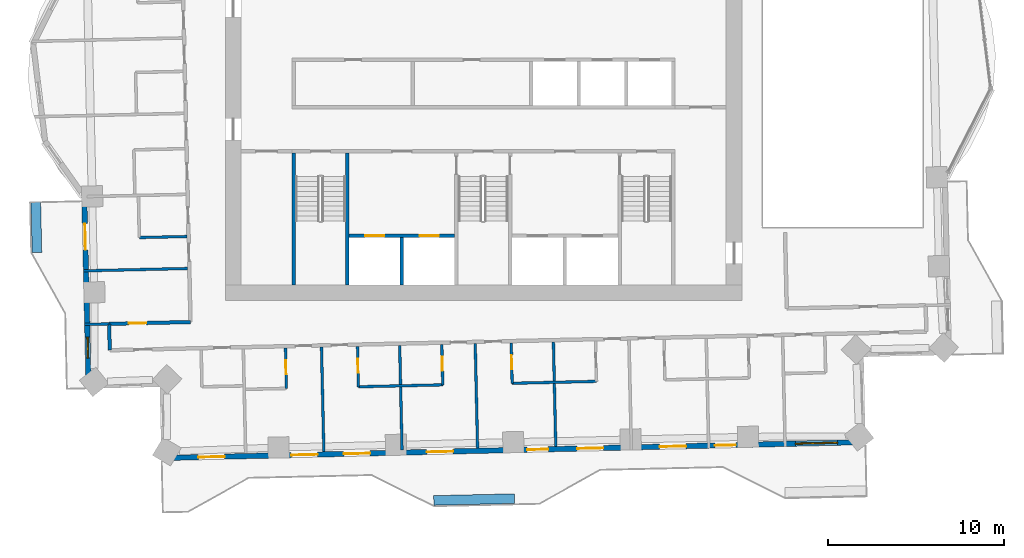
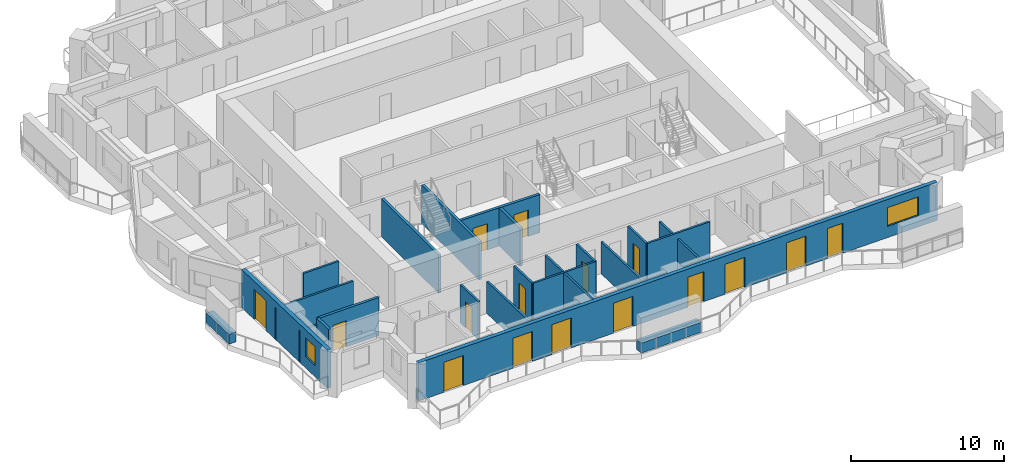
# One storey, part 4 of 14: 23 walls, 16 doors, 2 windows, 18 openings.
"""IFC4 building model written with IfcOpenShell, lengths in metres."""

from ifc_helpers import new_model, si_unit, direction, frame, frame_2d, origin, place, context, subcontext, project, spatial, rectangle, extrude, material, layer, layer_set, type_object, element, fill, save


model = new_model("IFC4")

# Units and contexts
model_context = context("Model", 3, precision=1e-05, world=origin(), true_north=direction((0.0, 1.0)))
body_context = subcontext(model_context, "Body", "Model", "MODEL_VIEW")
ifc_project = project(units=[si_unit("LENGTHUNIT", "METRE"), si_unit("AREAUNIT", "SQUARE_METRE"), si_unit("VOLUMEUNIT", "CUBIC_METRE"), si_unit("PLANEANGLEUNIT", "RADIAN"), si_unit("MASSUNIT", "GRAM", prefix="KILO")], contexts=[model_context])

# Site, building, storey
site_placement = place(None, origin())
site = spatial("IfcSite", under=ifc_project, at=site_placement, CompositionType="ELEMENT")
building_placement = place(site_placement, origin())
building = spatial("IfcBuilding", under=site, at=building_placement, Name="Mangrove Gate Tower", CompositionType="ELEMENT")
storey_placement = place(building_placement, frame((0.0, 0.0, 186.10009765625)))
storey = spatial("IfcBuildingStorey", under=building, at=storey_placement, Name="L47", CompositionType="ELEMENT", Elevation=186.10009765625)

# Wall, openings, doors
ifc_material_1 = material(Name="Concrete C60/75", Category="concrete")
ifc_layer_1 = layer(ifc_material_1, 0.199951171875)
ifc_layer_set_1 = layer_set([ifc_layer_1], Name="Core shaft wall 200 C60/75")
wall_type_1 = type_object("IfcWallType", Name="Core shaft wall 200 C60/75", PredefinedType="SHEAR", material=ifc_layer_set_1)
wall_1_placement = place(storey_placement, frame((-7.64990234375, -8.0, 0.0), z_axis=(0.0, 0.0, 1.0), x_axis=(1.0, 0.0, 0.0)))
wall_1 = element("IfcWall", 1, at=wall_1_placement, inside=storey, type_object=wall_type_1, Name="WALL-L47-CORE-15", PredefinedType="SHEAR", context=body_context, shape_type="SweptSolid", body=[
    extrude(rectangle(XDim=6.0, YDim=0.199951171875, at=frame_2d((3.0, 0.0))), origin(), (0.0, 0.0, 1.0), 3.0498046875),
])
opening_1_placement = place(wall_1_placement, frame((0.89990234375, 0.0, 0.0)))
opening_1 = element("IfcOpeningElement", 2, at=opening_1_placement, cuts=wall_1, Name="Opening LD", PredefinedType="OPENING", context=body_context, shape_type="SweptSolid", body=[
    extrude(rectangle(XDim=1.10009765625, YDim=2.10009765625, at=frame_2d((0.550048828125, 1.050048828125))), frame((0.0, 0.10986328125, 0.0), z_axis=(0.0, -1.0, 0.0), x_axis=(1.0, 0.0, 0.0)), (0.0, 0.0, 1.0), 0.219970703125),
])
opening_2_placement = place(wall_1_placement, frame((4.0, 0.0, 0.0)))
opening_2 = element("IfcOpeningElement", 3, at=opening_2_placement, cuts=wall_1, Name="Opening LD", PredefinedType="OPENING", context=body_context, shape_type="SweptSolid", body=[
    extrude(rectangle(XDim=1.10009765625, YDim=2.10009765625, at=frame_2d((0.550048828125, 1.050048828125))), frame((0.0, 0.10986328125, 0.0), z_axis=(0.0, -1.0, 0.0), x_axis=(1.0, 0.0, 0.0)), (0.0, 0.0, 1.0), 0.219970703125),
])
ifc_material_2 = material(Name="Stainless steel 316", Category="steel")
door_type_1 = type_object("IfcDoorType", Name="Lift landing door 1100x2100", OperationType="SLIDING_TO_LEFT", PredefinedType="DOOR", material=ifc_material_2)
door_1_placement = place(opening_1_placement, origin())
door_1 = element("IfcDoor", 4, at=door_1_placement, inside=storey, type_object=door_type_1, Name="Landing door LD SVL1", OperationType="SLIDING_TO_LEFT", OverallHeight=2.10009765625, OverallWidth=1.10009765625, PredefinedType="DOOR", context=body_context, shape_type="SweptSolid", body=[
    extrude(rectangle(XDim=1.10009765625, YDim=2.10009765625, at=frame_2d((0.550048828125, 1.050048828125))), frame((0.0, 0.02490234375, 0.0), z_axis=(0.0, -1.0, 0.0), x_axis=(1.0, 0.0, 0.0)), (0.0, 0.0, 1.0), 0.050048828125),
])
fill(opening_1, door_1)
door_2_placement = place(opening_2_placement, origin())
door_2 = element("IfcDoor", 5, at=door_2_placement, inside=storey, type_object=door_type_1, Name="Landing door LD SVL2", OperationType="SLIDING_TO_LEFT", OverallHeight=2.10009765625, OverallWidth=1.10009765625, PredefinedType="DOOR", context=body_context, shape_type="SweptSolid", body=[
    extrude(rectangle(XDim=1.10009765625, YDim=2.10009765625, at=frame_2d((0.550048828125, 1.050048828125))), frame((0.0, 0.02490234375, 0.0), z_axis=(0.0, -1.0, 0.0), x_axis=(1.0, 0.0, 0.0)), (0.0, 0.0, 1.0), 0.050048828125),
])
fill(opening_2, door_2)

# Walls
wall_2_placement = place(storey_placement, frame((-4.64990234375, -10.800048828125, 0.0), z_axis=(0.0, 0.0, 1.0), x_axis=(0.0, 1.0, 0.0)))
element("IfcWall", 6, at=wall_2_placement, inside=storey, type_object=wall_type_1, Name="WALL-L47-CORE-16", PredefinedType="SHEAR", context=body_context, shape_type="SweptSolid", body=[
    extrude(rectangle(XDim=2.699951171875, YDim=0.199951171875, at=frame_2d((1.35009765625, 0.0))), origin(), (0.0, 0.0, 1.0), 3.0498046875),
])
ifc_material_3 = material(Name="Concrete C60/75", Category="concrete")
ifc_layer_2 = layer(ifc_material_3, 0.199951171875)
ifc_layer_set_2 = layer_set([ifc_layer_2], Name="Core stair wall 200 C60/75")
wall_type_2 = type_object("IfcWallType", Name="Core stair wall 200 C60/75", PredefinedType="SHEAR", material=ifc_layer_set_2)
for number, where, z_axis, x_axis, name in (
    (7, (-10.800048828125, -10.800048828125, 0.0), (0.0, 0.0, 1.0), (0.0, 1.0, 0.0), "WALL-L47-CORE-9"),
    (8, (-7.75, -10.800048828125, 0.0), (0.0, 0.0, 1.0), (0.0, 1.0, 0.0), "WALL-L47-CORE-10"),
):
    element("IfcWall", number, at=place(storey_placement, frame(where, z_axis=z_axis, x_axis=x_axis)), inside=storey, type_object=wall_type_2, Name=name, PredefinedType="SHEAR", context=body_context, shape_type="SweptSolid", body=[
        extrude(rectangle(XDim=7.5, YDim=0.199951171875, at=frame_2d((3.75, 0.0))), origin(), (0.0, 0.0, 1.0), 3.0498046875),
    ])
ifc_material_4 = material(Name="Gypsum board on steel stud, EI 60", Category="steel")
ifc_layer_3 = layer(ifc_material_4, 0.199951171875)
ifc_layer_set_3 = layer_set([ifc_layer_3], Name="Corridor wall EI 60")
wall_type_3 = type_object("IfcWallType", Name="Corridor wall EI 60", PredefinedType="PARTITIONING", material=ifc_layer_set_3)
wall_3_placement = place(storey_placement, frame((-21.279052734375, -14.52294921875, 0.0), z_axis=(0.0, 0.0, 1.0), x_axis=(-0.022632637625, 0.99974384905, 0.0)))
element("IfcWall", 9, at=wall_3_placement, inside=storey, type_object=wall_type_3, Name="WALL-L47-025", PredefinedType="PARTITIONING", context=body_context, shape_type="SweptSolid", body=[
    extrude(rectangle(XDim=1.49951171875, YDim=0.199951171875, at=frame_2d((0.749755859375, 0.0))), origin(), (0.0, 0.0, 1.0), 3.0498046875),
])

# Wall, opening, door
wall_4_placement = place(storey_placement, frame((-21.31298828125, -13.02392578125, 0.0), z_axis=(0.0, 0.0, 1.0), x_axis=(0.999738699021, 0.022858995594, 0.0)))
wall_4 = element("IfcWall", 10, at=wall_4_placement, inside=storey, type_object=wall_type_3, Name="WALL-L47-028", PredefinedType="PARTITIONING", context=body_context, shape_type="SweptSolid", body=[
    extrude(rectangle(XDim=4.63525390625, YDim=0.199951171875, at=frame_2d((2.317626953125, 0.0))), origin(), (0.0, 0.0, 1.0), 3.0498046875),
])
opening_3_placement = place(wall_4_placement, frame((1.117919921875, 0.0, 0.0)))
opening_3 = element("IfcOpeningElement", 11, at=opening_3_placement, cuts=wall_4, Name="Opening AD", PredefinedType="OPENING", context=body_context, shape_type="SweptSolid", body=[
    extrude(rectangle(XDim=1.0, YDim=2.10009765625, at=frame_2d((0.5, 1.050048828125))), frame((0.0, 0.10986328125, 0.0), z_axis=(0.0, -1.0, 0.0), x_axis=(1.0, 0.0, 0.0)), (0.0, 0.0, 1.0), 0.219970703125),
])
ifc_material_5 = material(Name="Timber door leaf", Category="wood")
door_type_2 = type_object("IfcDoorType", Name="Amenity door 1000", OperationType="SINGLE_SWING_LEFT", PredefinedType="DOOR", material=ifc_material_5)
door_3_placement = place(opening_3_placement, origin())
door_3 = element("IfcDoor", 12, at=door_3_placement, inside=storey, type_object=door_type_2, Name="DOOR-L47-STU-c5c", OperationType="SINGLE_SWING_LEFT", OverallHeight=2.10009765625, OverallWidth=1.0, PredefinedType="DOOR", context=body_context, shape_type="SweptSolid", body=[
    extrude(rectangle(XDim=1.0, YDim=2.10009765625, at=frame_2d((0.5, 1.050048828125))), frame((0.0, 0.02490234375, 0.0), z_axis=(0.0, -1.0, 0.0), x_axis=(1.0, 0.0, 0.0)), (0.0, 0.0, 1.0), 0.050048828125),
])
fill(opening_3, door_3)

# Wall, openings, door, window
ifc_material_6 = material(Name="Limestone", Category="masonry")
ifc_layer_4 = layer(ifc_material_6, 0.0400390625, Name="Limestone cladding")
ifc_material_7 = material(Name="Ventilated air gap")
ifc_layer_5 = layer(ifc_material_7, 0.0400390625, Name="Ventilated cavity")
ifc_material_8 = material(Name="Mineral wool insulation")
ifc_layer_6 = layer(ifc_material_8, 0.06005859375, Name="Insulation")
ifc_material_9 = material(Name="Breather membrane")
ifc_layer_7 = layer(ifc_material_9, 0.001953125, Name="Breather membrane")
ifc_material_10 = material(Name="Concrete C20/25 blockwork", Category="masonry")
ifc_layer_8 = layer(ifc_material_10, 0.14990234375, Name="Blockwork backing wall")
ifc_material_11 = material(Name="Gypsum plaster")
ifc_layer_9 = layer(ifc_material_11, 0.008056640625, Name="Internal plaster")
ifc_layer_set_4 = layer_set([ifc_layer_4, ifc_layer_5, ifc_layer_6, ifc_layer_7, ifc_layer_8, ifc_layer_9], Name="External wall 300 limestone cladding")
wall_type_4 = type_object("IfcWallType", Name="External wall 300 limestone cladding", PredefinedType="SOLIDWALL", material=ifc_layer_set_4)
wall_5_placement = place(storey_placement, frame((-22.72900390625, -5.72509765625, 0.0), z_axis=(0.0, 0.0, 1.0), x_axis=(0.022726014582, -0.999741730779, 0.0)))
wall_5 = element("IfcWall", 13, at=wall_5_placement, inside=storey, type_object=wall_type_4, Name="WALL-L47-W10", PredefinedType="SOLIDWALL", context=body_context, shape_type="SweptSolid", body=[
    extrude(rectangle(XDim=10.82861328125, YDim=0.300048828125, at=frame_2d((5.414306640625, 0.0))), origin(), (0.0, 0.0, 1.0), 3.0498046875),
])
opening_4_placement = place(wall_5_placement, frame((1.592041015625, 0.0, 0.0)))
opening_4 = element("IfcOpeningElement", 14, at=opening_4_placement, cuts=wall_5, Name="Opening BD1", PredefinedType="OPENING", context=body_context, shape_type="SweptSolid", body=[
    extrude(rectangle(XDim=1.5, YDim=2.39990234375, at=frame_2d((0.75, 1.199951171875))), frame((0.0, 0.159912109375, 0.0), z_axis=(0.0, -1.0, 0.0), x_axis=(1.0, 0.0, 0.0)), (0.0, 0.0, 1.0), 0.320068359375),
])
opening_5_placement = place(wall_5_placement, frame((8.050048828125, 0.0, 0.89990234375)))
opening_5 = element("IfcOpeningElement", 15, at=opening_5_placement, cuts=wall_5, Name="Opening W1", PredefinedType="OPENING", context=body_context, shape_type="SweptSolid", body=[
    extrude(rectangle(XDim=1.199951171875, YDim=1.5, at=frame_2d((0.60009765625, 0.75))), frame((0.0, 0.159912109375, 0.0), z_axis=(0.0, -1.0, 0.0), x_axis=(1.0, 0.0, 0.0)), (0.0, 0.0, 1.0), 0.320068359375),
])
ifc_material_12 = material(Name="Aluminium frame with laminated clear glass", Category="aluminium")
door_type_3 = type_object("IfcDoorType", Name="Balcony sliding door 1500x2400", OperationType="SLIDING_TO_LEFT", PredefinedType="DOOR", material=ifc_material_12)
door_4_placement = place(opening_4_placement, origin())
door_4 = element("IfcDoor", 16, at=door_4_placement, inside=storey, type_object=door_type_3, Name="DOOR-L47-W10-1", OperationType="SLIDING_TO_LEFT", OverallHeight=2.39990234375, OverallWidth=1.5, PredefinedType="DOOR", context=body_context, shape_type="SweptSolid", body=[
    extrude(rectangle(XDim=1.5, YDim=2.39990234375, at=frame_2d((0.75, 1.199951171875))), frame((0.0, 0.02490234375, 0.0), z_axis=(0.0, -1.0, 0.0), x_axis=(1.0, 0.0, 0.0)), (0.0, 0.0, 1.0), 0.050048828125),
])
fill(opening_4, door_4)
ifc_material_13 = material(Name="Aluminium frame with double-glazed low-e glass", Category="aluminium")
window_type_1 = type_object("IfcWindowType", Name="Side lite 1200x1500", PartitioningType="SINGLE_PANEL", PredefinedType="WINDOW", material=ifc_material_13)
window_1_placement = place(opening_5_placement, origin())
window_1 = element("IfcWindow", 17, at=window_1_placement, inside=storey, type_object=window_type_1, Name="WIN-L47-W10-2", OverallHeight=1.5, OverallWidth=1.199951171875, PartitioningType="SINGLE_PANEL", PredefinedType="WINDOW", context=body_context, shape_type="SweptSolid", body=[
    extrude(rectangle(XDim=1.199951171875, YDim=1.5, at=frame_2d((0.60009765625, 0.75))), frame((0.0, 0.030029296875, 0.0), z_axis=(0.0, -1.0, 0.0), x_axis=(1.0, 0.0, 0.0)), (0.0, 0.0, 1.0), 0.06005859375),
])
fill(opening_5, window_1)

# Wall, openings, doors, window
wall_6_placement = place(storey_placement, frame((-18.18896484375, -20.655029296875, 0.0), z_axis=(0.0, 0.0, 1.0), x_axis=(0.999742285265, 0.022701609063, 0.0)))
wall_6 = element("IfcWall", 18, at=wall_6_placement, inside=storey, type_object=wall_type_4, Name="WALL-L47-S13", PredefinedType="SOLIDWALL", context=body_context, shape_type="SweptSolid", body=[
    extrude(rectangle(XDim=39.7802734375, YDim=0.300048828125, at=frame_2d((19.89013671875, 0.0))), origin(), (0.0, 0.0, 1.0), 3.0498046875),
])
opening_6_placement = place(wall_6_placement, frame((1.947998046875, 0.0, 0.0)))
opening_6 = element("IfcOpeningElement", 19, at=opening_6_placement, cuts=wall_6, Name="Opening BD1", PredefinedType="OPENING", context=body_context, shape_type="SweptSolid", body=[
    extrude(rectangle(XDim=1.5, YDim=2.39990234375, at=frame_2d((0.75, 1.199951171875))), frame((0.0, 0.159912109375, 0.0), z_axis=(0.0, -1.0, 0.0), x_axis=(1.0, 0.0, 0.0)), (0.0, 0.0, 1.0), 0.320068359375),
])
opening_7_placement = place(wall_6_placement, frame((7.239990234375, 0.0, 0.0)))
opening_7 = element("IfcOpeningElement", 20, at=opening_7_placement, cuts=wall_6, Name="Opening BD1", PredefinedType="OPENING", context=body_context, shape_type="SweptSolid", body=[
    extrude(rectangle(XDim=1.5, YDim=2.39990234375, at=frame_2d((0.75, 1.199951171875))), frame((0.0, 0.159912109375, 0.0), z_axis=(0.0, -1.0, 0.0), x_axis=(1.0, 0.0, 0.0)), (0.0, 0.0, 1.0), 0.320068359375),
])
opening_8_placement = place(wall_6_placement, frame((10.22998046875, 0.0, 0.0)))
opening_8 = element("IfcOpeningElement", 21, at=opening_8_placement, cuts=wall_6, Name="Opening BD1", PredefinedType="OPENING", context=body_context, shape_type="SweptSolid", body=[
    extrude(rectangle(XDim=1.5, YDim=2.39990234375, at=frame_2d((0.75, 1.199951171875))), frame((0.0, 0.159912109375, 0.0), z_axis=(0.0, -1.0, 0.0), x_axis=(1.0, 0.0, 0.0)), (0.0, 0.0, 1.0), 0.320068359375),
])
opening_9_placement = place(wall_6_placement, frame((14.955078125, 0.0, 0.0)))
opening_9 = element("IfcOpeningElement", 22, at=opening_9_placement, cuts=wall_6, Name="Opening BD1", PredefinedType="OPENING", context=body_context, shape_type="SweptSolid", body=[
    extrude(rectangle(XDim=1.5, YDim=2.39990234375, at=frame_2d((0.75, 1.199951171875))), frame((0.0, 0.159912109375, 0.0), z_axis=(0.0, -1.0, 0.0), x_axis=(1.0, 0.0, 0.0)), (0.0, 0.0, 1.0), 0.320068359375),
])
opening_10_placement = place(wall_6_placement, frame((20.669921875, 0.0, 0.0)))
opening_10 = element("IfcOpeningElement", 23, at=opening_10_placement, cuts=wall_6, Name="Opening BD2", PredefinedType="OPENING", context=body_context, shape_type="SweptSolid", body=[
    extrude(rectangle(XDim=1.199951171875, YDim=2.39990234375, at=frame_2d((0.60009765625, 1.199951171875))), frame((0.0, 0.159912109375, 0.0), z_axis=(0.0, -1.0, 0.0), x_axis=(1.0, 0.0, 0.0)), (0.0, 0.0, 1.0), 0.320068359375),
])
opening_11_placement = place(wall_6_placement, frame((23.510009765625, 0.0, 0.0)))
opening_11 = element("IfcOpeningElement", 24, at=opening_11_placement, cuts=wall_6, Name="Opening BD1", PredefinedType="OPENING", context=body_context, shape_type="SweptSolid", body=[
    extrude(rectangle(XDim=1.5, YDim=2.39990234375, at=frame_2d((0.75, 1.199951171875))), frame((0.0, 0.159912109375, 0.0), z_axis=(0.0, -1.0, 0.0), x_axis=(1.0, 0.0, 0.0)), (0.0, 0.0, 1.0), 0.320068359375),
])
opening_12_placement = place(wall_6_placement, frame((28.2099609375, 0.0, 0.0)))
opening_12 = element("IfcOpeningElement", 25, at=opening_12_placement, cuts=wall_6, Name="Opening BD1", PredefinedType="OPENING", context=body_context, shape_type="SweptSolid", body=[
    extrude(rectangle(XDim=1.5, YDim=2.39990234375, at=frame_2d((0.75, 1.199951171875))), frame((0.0, 0.159912109375, 0.0), z_axis=(0.0, -1.0, 0.0), x_axis=(1.0, 0.0, 0.0)), (0.0, 0.0, 1.0), 0.320068359375),
])
opening_13_placement = place(wall_6_placement, frame((31.35009765625, 0.0, 0.0)))
opening_13 = element("IfcOpeningElement", 26, at=opening_13_placement, cuts=wall_6, Name="Opening BD2", PredefinedType="OPENING", context=body_context, shape_type="SweptSolid", body=[
    extrude(rectangle(XDim=1.199951171875, YDim=2.39990234375, at=frame_2d((0.60009765625, 1.199951171875))), frame((0.0, 0.159912109375, 0.0), z_axis=(0.0, -1.0, 0.0), x_axis=(1.0, 0.0, 0.0)), (0.0, 0.0, 1.0), 0.320068359375),
])
opening_14_placement = place(wall_6_placement, frame((35.93994140625, 0.0, 0.89990234375)))
opening_14 = element("IfcOpeningElement", 27, at=opening_14_placement, cuts=wall_6, Name="Opening W2", PredefinedType="OPENING", context=body_context, shape_type="SweptSolid", body=[
    extrude(rectangle(XDim=2.39990234375, YDim=1.5, at=frame_2d((1.199951171875, 0.75))), frame((0.0, 0.159912109375, 0.0), z_axis=(0.0, -1.0, 0.0), x_axis=(1.0, 0.0, 0.0)), (0.0, 0.0, 1.0), 0.320068359375),
])
ifc_material_14 = material(Name="Aluminium frame with laminated clear glass", Category="aluminium")
door_type_4 = type_object("IfcDoorType", Name="Balcony sliding door 1200x2400", OperationType="SLIDING_TO_LEFT", PredefinedType="DOOR", material=ifc_material_14)
door_5_placement = place(opening_10_placement, origin())
door_5 = element("IfcDoor", 28, at=door_5_placement, inside=storey, type_object=door_type_4, Name="DOOR-L47-S13-5", OperationType="SLIDING_TO_LEFT", OverallHeight=2.39990234375, OverallWidth=1.199951171875, PredefinedType="DOOR", context=body_context, shape_type="SweptSolid", body=[
    extrude(rectangle(XDim=1.199951171875, YDim=2.39990234375, at=frame_2d((0.60009765625, 1.199951171875))), frame((0.0, 0.02490234375, 0.0), z_axis=(0.0, -1.0, 0.0), x_axis=(1.0, 0.0, 0.0)), (0.0, 0.0, 1.0), 0.050048828125),
])
fill(opening_10, door_5)
door_6_placement = place(opening_13_placement, origin())
door_6 = element("IfcDoor", 29, at=door_6_placement, inside=storey, type_object=door_type_4, Name="DOOR-L47-S13-8", OperationType="SLIDING_TO_LEFT", OverallHeight=2.39990234375, OverallWidth=1.199951171875, PredefinedType="DOOR", context=body_context, shape_type="SweptSolid", body=[
    extrude(rectangle(XDim=1.199951171875, YDim=2.39990234375, at=frame_2d((0.60009765625, 1.199951171875))), frame((0.0, 0.02490234375, 0.0), z_axis=(0.0, -1.0, 0.0), x_axis=(1.0, 0.0, 0.0)), (0.0, 0.0, 1.0), 0.050048828125),
])
fill(opening_13, door_6)
door_7_placement = place(opening_6_placement, origin())
door_7 = element("IfcDoor", 30, at=door_7_placement, inside=storey, type_object=door_type_3, Name="DOOR-L47-S13-1", OperationType="SLIDING_TO_LEFT", OverallHeight=2.39990234375, OverallWidth=1.5, PredefinedType="DOOR", context=body_context, shape_type="SweptSolid", body=[
    extrude(rectangle(XDim=1.5, YDim=2.39990234375, at=frame_2d((0.75, 1.199951171875))), frame((0.0, 0.02490234375, 0.0), z_axis=(0.0, -1.0, 0.0), x_axis=(1.0, 0.0, 0.0)), (0.0, 0.0, 1.0), 0.050048828125),
])
fill(opening_6, door_7)
door_8_placement = place(opening_7_placement, origin())
door_8 = element("IfcDoor", 31, at=door_8_placement, inside=storey, type_object=door_type_3, Name="DOOR-L47-S13-2", OperationType="SLIDING_TO_LEFT", OverallHeight=2.39990234375, OverallWidth=1.5, PredefinedType="DOOR", context=body_context, shape_type="SweptSolid", body=[
    extrude(rectangle(XDim=1.5, YDim=2.39990234375, at=frame_2d((0.75, 1.199951171875))), frame((0.0, 0.02490234375, 0.0), z_axis=(0.0, -1.0, 0.0), x_axis=(1.0, 0.0, 0.0)), (0.0, 0.0, 1.0), 0.050048828125),
])
fill(opening_7, door_8)
door_9_placement = place(opening_8_placement, origin())
door_9 = element("IfcDoor", 32, at=door_9_placement, inside=storey, type_object=door_type_3, Name="DOOR-L47-S13-3", OperationType="SLIDING_TO_LEFT", OverallHeight=2.39990234375, OverallWidth=1.5, PredefinedType="DOOR", context=body_context, shape_type="SweptSolid", body=[
    extrude(rectangle(XDim=1.5, YDim=2.39990234375, at=frame_2d((0.75, 1.199951171875))), frame((0.0, 0.02490234375, 0.0), z_axis=(0.0, -1.0, 0.0), x_axis=(1.0, 0.0, 0.0)), (0.0, 0.0, 1.0), 0.050048828125),
])
fill(opening_8, door_9)
door_10_placement = place(opening_9_placement, origin())
door_10 = element("IfcDoor", 33, at=door_10_placement, inside=storey, type_object=door_type_3, Name="DOOR-L47-S13-4", OperationType="SLIDING_TO_LEFT", OverallHeight=2.39990234375, OverallWidth=1.5, PredefinedType="DOOR", context=body_context, shape_type="SweptSolid", body=[
    extrude(rectangle(XDim=1.5, YDim=2.39990234375, at=frame_2d((0.75, 1.199951171875))), frame((0.0, 0.02490234375, 0.0), z_axis=(0.0, -1.0, 0.0), x_axis=(1.0, 0.0, 0.0)), (0.0, 0.0, 1.0), 0.050048828125),
])
fill(opening_9, door_10)
door_11_placement = place(opening_11_placement, origin())
door_11 = element("IfcDoor", 34, at=door_11_placement, inside=storey, type_object=door_type_3, Name="DOOR-L47-S13-6", OperationType="SLIDING_TO_LEFT", OverallHeight=2.39990234375, OverallWidth=1.5, PredefinedType="DOOR", context=body_context, shape_type="SweptSolid", body=[
    extrude(rectangle(XDim=1.5, YDim=2.39990234375, at=frame_2d((0.75, 1.199951171875))), frame((0.0, 0.02490234375, 0.0), z_axis=(0.0, -1.0, 0.0), x_axis=(1.0, 0.0, 0.0)), (0.0, 0.0, 1.0), 0.050048828125),
])
fill(opening_11, door_11)
door_12_placement = place(opening_12_placement, origin())
door_12 = element("IfcDoor", 35, at=door_12_placement, inside=storey, type_object=door_type_3, Name="DOOR-L47-S13-7", OperationType="SLIDING_TO_LEFT", OverallHeight=2.39990234375, OverallWidth=1.5, PredefinedType="DOOR", context=body_context, shape_type="SweptSolid", body=[
    extrude(rectangle(XDim=1.5, YDim=2.39990234375, at=frame_2d((0.75, 1.199951171875))), frame((0.0, 0.02490234375, 0.0), z_axis=(0.0, -1.0, 0.0), x_axis=(1.0, 0.0, 0.0)), (0.0, 0.0, 1.0), 0.050048828125),
])
fill(opening_12, door_12)
ifc_material_15 = material(Name="Aluminium frame with double-glazed low-e glass", Category="aluminium")
window_type_2 = type_object("IfcWindowType", Name="Corner room window 2400x1500", PartitioningType="DOUBLE_PANEL_VERTICAL", PredefinedType="WINDOW", material=ifc_material_15)
window_2_placement = place(opening_14_placement, origin())
window_2 = element("IfcWindow", 36, at=window_2_placement, inside=storey, type_object=window_type_2, Name="WIN-L47-S13-9", OverallHeight=1.5, OverallWidth=2.39990234375, PartitioningType="DOUBLE_PANEL_VERTICAL", PredefinedType="WINDOW", context=body_context, shape_type="SweptSolid", body=[
    extrude(rectangle(XDim=2.39990234375, YDim=1.5, at=frame_2d((1.199951171875, 0.75))), frame((0.0, 0.030029296875, 0.0), z_axis=(0.0, -1.0, 0.0), x_axis=(1.0, 0.0, 0.0)), (0.0, 0.0, 1.0), 0.06005859375),
])
fill(opening_14, window_2)

# Walls
ifc_material_16 = material(Name="Gypsum board on steel stud, EI 60", Category="steel")
ifc_layer_10 = layer(ifc_material_16, 0.14990234375)
ifc_layer_set_5 = layer_set([ifc_layer_10], Name="Party wall 150 EI 60")
wall_type_5 = type_object("IfcWallType", Name="Party wall 150 EI 60", PredefinedType="PARTITIONING", material=ifc_layer_set_5)
wall_7_placement = place(storey_placement, frame((-9.094970703125, -20.298095703125, 0.0), z_axis=(0.0, 0.0, 1.0), x_axis=(-0.022692509051, 0.999742491861, 0.0)))
element("IfcWall", 37, at=wall_7_placement, inside=storey, type_object=wall_type_5, Name="WALL-L47-002", PredefinedType="PARTITIONING", context=body_context, shape_type="SweptSolid", body=[
    extrude(rectangle(XDim=5.949462890625, YDim=0.14990234375, at=frame_2d((2.974609375, 0.0))), origin(), (0.0, 0.0, 1.0), 2.5498046875),
])
wall_8_placement = place(storey_placement, frame((-4.64599609375, -20.197021484375, 0.0), z_axis=(0.0, 0.0, 1.0), x_axis=(-0.022692509051, 0.999742491861, 0.0)))
element("IfcWall", 38, at=wall_8_placement, inside=storey, type_object=wall_type_5, Name="WALL-L47-003", PredefinedType="PARTITIONING", context=body_context, shape_type="SweptSolid", body=[
    extrude(rectangle(XDim=5.949462890625, YDim=0.14990234375, at=frame_2d((2.974609375, 0.0))), origin(), (0.0, 0.0, 1.0), 3.0498046875),
])
wall_9_placement = place(storey_placement, frame((-0.346923828125, -20.10009765625, 0.0), z_axis=(0.0, 0.0, 1.0), x_axis=(-0.022687855237, 0.999742597484, 0.0)))
element("IfcWall", 39, at=wall_9_placement, inside=storey, type_object=wall_type_5, Name="WALL-L47-004", PredefinedType="PARTITIONING", context=body_context, shape_type="SweptSolid", body=[
    extrude(rectangle(XDim=5.95068359375, YDim=0.14990234375, at=frame_2d((2.975341796875, 0.0))), origin(), (0.0, 0.0, 1.0), 2.5498046875),
])
wall_10_placement = place(storey_placement, frame((4.10205078125, -19.9990234375, 0.0), z_axis=(0.0, 0.0, 1.0), x_axis=(-0.022688785847, 0.999742576365, 0.0)))
element("IfcWall", 40, at=wall_10_placement, inside=storey, type_object=wall_type_5, Name="WALL-L47-005", PredefinedType="PARTITIONING", context=body_context, shape_type="SweptSolid", body=[
    extrude(rectangle(XDim=5.950439453125, YDim=0.14990234375, at=frame_2d((2.97509765625, 0.0))), origin(), (0.0, 0.0, 1.0), 2.5498046875),
])

# Wall, opening, door
wall_11_placement = place(storey_placement, frame((-11.22705078125, -16.696044921875, 0.0), z_axis=(0.0, 0.0, 1.0), x_axis=(-0.022603288534, 0.999744513037, 0.0)))
wall_11 = element("IfcWall", 41, at=wall_11_placement, inside=storey, type_object=wall_type_5, Name="WALL-L47-010", PredefinedType="PARTITIONING", context=body_context, shape_type="SweptSolid", body=[
    extrude(rectangle(XDim=2.300537109375, YDim=0.14990234375, at=frame_2d((1.150390625, 0.0))), origin(), (0.0, 0.0, 1.0), 3.0498046875),
])
opening_15_placement = place(wall_11_placement, frame((0.800048828125, 0.0, 0.0)))
opening_15 = element("IfcOpeningElement", 42, at=opening_15_placement, cuts=wall_11, Name="Opening ED", PredefinedType="OPENING", context=body_context, shape_type="SweptSolid", body=[
    extrude(rectangle(XDim=0.800048828125, YDim=2.10009765625, at=frame_2d((0.39990234375, 1.050048828125))), frame((0.0, 0.0849609375, 0.0), z_axis=(0.0, -1.0, 0.0), x_axis=(1.0, 0.0, 0.0)), (0.0, 0.0, 1.0), 0.169921875),
])
ifc_material_17 = material(Name="Timber door leaf", Category="wood")
door_type_5 = type_object("IfcDoorType", Name="En-suite door 800", OperationType="SINGLE_SWING_LEFT", PredefinedType="DOOR", material=ifc_material_17)
door_13_placement = place(opening_15_placement, origin())
door_13 = element("IfcDoor", 43, at=door_13_placement, inside=storey, type_object=door_type_5, Name="DOOR-L47-ENS-c101", OperationType="SINGLE_SWING_LEFT", OverallHeight=2.10009765625, OverallWidth=0.800048828125, PredefinedType="DOOR", context=body_context, shape_type="SweptSolid", body=[
    extrude(rectangle(XDim=0.800048828125, YDim=2.10009765625, at=frame_2d((0.39990234375, 1.050048828125))), frame((0.0, 0.02490234375, 0.0), z_axis=(0.0, -1.0, 0.0), x_axis=(1.0, 0.0, 0.0)), (0.0, 0.0, 1.0), 0.050048828125),
])
fill(opening_15, door_13)

# Wall
wall_12_placement = place(storey_placement, frame((-7.1279296875, -16.60302734375, 0.0), z_axis=(0.0, 0.0, 1.0), x_axis=(0.999741520352, 0.022735269617, 0.0)))
element("IfcWall", 44, at=wall_12_placement, inside=storey, type_object=wall_type_5, Name="WALL-L47-011", PredefinedType="PARTITIONING", context=body_context, shape_type="SweptSolid", body=[
    extrude(rectangle(XDim=4.800048828125, YDim=0.14990234375, at=frame_2d((2.39990234375, 0.0))), origin(), (0.0, 0.0, 1.0), 3.0498046875),
])

# Wall, opening, door
wall_13_placement = place(storey_placement, frame((-7.1279296875, -16.60302734375, 0.0), z_axis=(0.0, 0.0, 1.0), x_axis=(-0.022603288534, 0.999744513037, 0.0)))
wall_13 = element("IfcWall", 45, at=wall_13_placement, inside=storey, type_object=wall_type_5, Name="WALL-L47-012", PredefinedType="PARTITIONING", context=body_context, shape_type="SweptSolid", body=[
    extrude(rectangle(XDim=2.300537109375, YDim=0.14990234375, at=frame_2d((1.150390625, 0.0))), origin(), (0.0, 0.0, 1.0), 3.0498046875),
])
opening_16_placement = place(wall_13_placement, frame((0.800048828125, 0.0, 0.0)))
opening_16 = element("IfcOpeningElement", 46, at=opening_16_placement, cuts=wall_13, Name="Opening ED", PredefinedType="OPENING", context=body_context, shape_type="SweptSolid", body=[
    extrude(rectangle(XDim=0.800048828125, YDim=2.10009765625, at=frame_2d((0.39990234375, 1.050048828125))), frame((0.0, 0.0849609375, 0.0), z_axis=(0.0, -1.0, 0.0), x_axis=(1.0, 0.0, 0.0)), (0.0, 0.0, 1.0), 0.169921875),
])
door_14_placement = place(opening_16_placement, origin())
door_14 = element("IfcDoor", 47, at=door_14_placement, inside=storey, type_object=door_type_5, Name="DOOR-L47-ENS-c102", OperationType="SINGLE_SWING_RIGHT", OverallHeight=2.10009765625, OverallWidth=0.800048828125, PredefinedType="DOOR", context=body_context, shape_type="SweptSolid", body=[
    extrude(rectangle(XDim=0.800048828125, YDim=2.10009765625, at=frame_2d((0.39990234375, 1.050048828125))), frame((0.0, 0.02490234375, 0.0), z_axis=(0.0, -1.0, 0.0), x_axis=(1.0, 0.0, 0.0)), (0.0, 0.0, 1.0), 0.050048828125),
])
fill(opening_16, door_14)

wall_14_placement = place(storey_placement, frame((-2.3291015625, -16.493896484375, 0.0), z_axis=(0.0, 0.0, 1.0), x_axis=(-0.023029983665, 0.999734774754, 0.0)))
wall_14 = element("IfcWall", 48, at=wall_14_placement, inside=storey, type_object=wall_type_5, Name="WALL-L47-013", PredefinedType="PARTITIONING", context=body_context, shape_type="SweptSolid", body=[
    extrude(rectangle(XDim=2.30029296875, YDim=0.14990234375, at=frame_2d((1.150146484375, 0.0))), origin(), (0.0, 0.0, 1.0), 3.0498046875),
])
opening_17_placement = place(wall_14_placement, frame((0.800048828125, 0.0, 0.0)))
opening_17 = element("IfcOpeningElement", 49, at=opening_17_placement, cuts=wall_14, Name="Opening ED", PredefinedType="OPENING", context=body_context, shape_type="SweptSolid", body=[
    extrude(rectangle(XDim=0.800048828125, YDim=2.10009765625, at=frame_2d((0.39990234375, 1.050048828125))), frame((0.0, 0.0849609375, 0.0), z_axis=(0.0, -1.0, 0.0), x_axis=(1.0, 0.0, 0.0)), (0.0, 0.0, 1.0), 0.169921875),
])
door_15_placement = place(opening_17_placement, origin())
door_15 = element("IfcDoor", 50, at=door_15_placement, inside=storey, type_object=door_type_5, Name="DOOR-L47-ENS-c103", OperationType="SINGLE_SWING_LEFT", OverallHeight=2.10009765625, OverallWidth=0.800048828125, PredefinedType="DOOR", context=body_context, shape_type="SweptSolid", body=[
    extrude(rectangle(XDim=0.800048828125, YDim=2.10009765625, at=frame_2d((0.39990234375, 1.050048828125))), frame((0.0, 0.02490234375, 0.0), z_axis=(0.0, -1.0, 0.0), x_axis=(1.0, 0.0, 0.0)), (0.0, 0.0, 1.0), 0.050048828125),
])
fill(opening_17, door_15)

# Wall
wall_15_placement = place(storey_placement, frame((1.6201171875, -16.404052734375, 0.0), z_axis=(0.0, 0.0, 1.0), x_axis=(0.999741415159, 0.022739894798, 0.0)))
element("IfcWall", 51, at=wall_15_placement, inside=storey, type_object=wall_type_5, Name="WALL-L47-014", PredefinedType="PARTITIONING", context=body_context, shape_type="SweptSolid", body=[
    extrude(rectangle(XDim=4.799072265625, YDim=0.14990234375, at=frame_2d((2.3994140625, 0.0))), origin(), (0.0, 0.0, 1.0), 3.0498046875),
])

# Wall, opening, door
wall_16_placement = place(storey_placement, frame((1.6201171875, -16.404052734375, 0.0), z_axis=(0.0, 0.0, 1.0), x_axis=(-0.023143422514, 0.999732155127, 0.0)))
wall_16 = element("IfcWall", 52, at=wall_16_placement, inside=storey, type_object=wall_type_5, Name="WALL-L47-015", PredefinedType="PARTITIONING", context=body_context, shape_type="SweptSolid", body=[
    extrude(rectangle(XDim=2.2998046875, YDim=0.14990234375, at=frame_2d((1.14990234375, 0.0))), origin(), (0.0, 0.0, 1.0), 3.0498046875),
])
opening_18_placement = place(wall_16_placement, frame((0.800048828125, 0.0, 0.0)))
opening_18 = element("IfcOpeningElement", 53, at=opening_18_placement, cuts=wall_16, Name="Opening ED", PredefinedType="OPENING", context=body_context, shape_type="SweptSolid", body=[
    extrude(rectangle(XDim=0.800048828125, YDim=2.10009765625, at=frame_2d((0.39990234375, 1.050048828125))), frame((0.0, 0.0849609375, 0.0), z_axis=(0.0, -1.0, 0.0), x_axis=(1.0, 0.0, 0.0)), (0.0, 0.0, 1.0), 0.169921875),
])
door_16_placement = place(opening_18_placement, origin())
door_16 = element("IfcDoor", 54, at=door_16_placement, inside=storey, type_object=door_type_5, Name="DOOR-L47-ENS-c204", OperationType="SINGLE_SWING_RIGHT", OverallHeight=2.10009765625, OverallWidth=0.800048828125, PredefinedType="DOOR", context=body_context, shape_type="SweptSolid", body=[
    extrude(rectangle(XDim=0.800048828125, YDim=2.10009765625, at=frame_2d((0.39990234375, 1.050048828125))), frame((0.0, 0.02490234375, 0.0), z_axis=(0.0, -1.0, 0.0), x_axis=(1.0, 0.0, 0.0)), (0.0, 0.0, 1.0), 0.050048828125),
])
fill(opening_18, door_16)

# Walls
wall_17_placement = place(storey_placement, frame((-22.712890625, -13.054931640625, 0.0), z_axis=(0.0, 0.0, 1.0), x_axis=(0.999756172383, 0.022081571112, 0.0)))
element("IfcWall", 55, at=wall_17_placement, inside=storey, type_object=wall_type_5, Name="WALL-L47-027", PredefinedType="PARTITIONING", context=body_context, shape_type="SweptSolid", body=[
    extrude(rectangle(XDim=1.404052734375, YDim=0.14990234375, at=frame_2d((0.7021484375, 0.0))), origin(), (0.0, 0.0, 1.0), 2.5498046875),
])
wall_18_placement = place(storey_placement, frame((-22.781982421875, -10.006103515625, 0.0), z_axis=(0.0, 0.0, 1.0), x_axis=(0.999745010927, 0.02258125611, 0.0)))
element("IfcWall", 56, at=wall_18_placement, inside=storey, type_object=wall_type_5, Name="WALL-L47-033", PredefinedType="PARTITIONING", context=body_context, shape_type="SweptSolid", body=[
    extrude(rectangle(XDim=5.935546875, YDim=0.14990234375, at=frame_2d((2.9677734375, 0.0))), origin(), (0.0, 0.0, 1.0), 2.5498046875),
])
wall_19_placement = place(storey_placement, frame((-19.589111328125, -8.113037109375, 0.0), z_axis=(0.0, 0.0, 1.0), x_axis=(0.999744443191, 0.022606377605, 0.0)))
element("IfcWall", 57, at=wall_19_placement, inside=storey, type_object=wall_type_5, Name="WALL-L47-034", PredefinedType="PARTITIONING", context=body_context, shape_type="SweptSolid", body=[
    extrude(rectangle(XDim=2.699951171875, YDim=0.14990234375, at=frame_2d((1.35009765625, 0.0))), origin(), (0.0, 0.0, 1.0), 3.0498046875),
])
ifc_material_18 = material(Name="Concrete C32/40", Category="concrete")
ifc_layer_11 = layer(ifc_material_18, 0.199951171875, Name="Planter trough wall")
ifc_material_19 = material(Name="Bituminous waterproofing membrane")
ifc_layer_12 = layer(ifc_material_19, 0.0048828125, Name="Waterproofing")
ifc_material_20 = material(Name="Drainage board and gravel")
ifc_layer_13 = layer(ifc_material_20, 0.044921875, Name="Drainage layer")
ifc_material_21 = material(Name="Planting soil")
ifc_layer_14 = layer(ifc_material_21, 0.300048828125, Name="Growing medium")
ifc_layer_set_6 = layer_set([ifc_layer_11, ifc_layer_12, ifc_layer_13, ifc_layer_14], Name="Planter wall 550 C32/40")
wall_type_6 = type_object("IfcWallType", Name="Planter wall 550 C32/40", PredefinedType="USERDEFINED", material=ifc_layer_set_6)
wall_20_placement = place(storey_placement, frame((-25.4208984375, -8.966064453125, 0.0), z_axis=(0.0, 0.0, 1.0), x_axis=(-0.022675106248, 0.999742886725, 0.0)))
element("IfcWall", 58, at=wall_20_placement, inside=storey, type_object=wall_type_6, Name="PLANTER L47 W1.1", ObjectType="PLANTER", PredefinedType="USERDEFINED", context=body_context, shape_type="SweptSolid", body=[
    extrude(rectangle(XDim=2.874755859375, YDim=0.550048828125, at=frame_2d((1.4375, 0.0))), origin(), (0.0, 0.0, 1.0), 0.7998046875),
])
wall_21_placement = place(storey_placement, frame((-2.840087890625, -23.072021484375, 0.0), z_axis=(0.0, 0.0, 1.0), x_axis=(0.999744404568, 0.02260808559, 0.0)))
element("IfcWall", 59, at=wall_21_placement, inside=storey, type_object=wall_type_6, Name="PLANTER L47 S0.1", ObjectType="PLANTER", PredefinedType="USERDEFINED", context=body_context, shape_type="SweptSolid", body=[
    extrude(rectangle(XDim=4.600341796875, YDim=0.550048828125, at=frame_2d((2.30029296875, 0.0))), origin(), (0.0, 0.0, 1.0), 0.7998046875),
])

save(model, "model.ifc")
